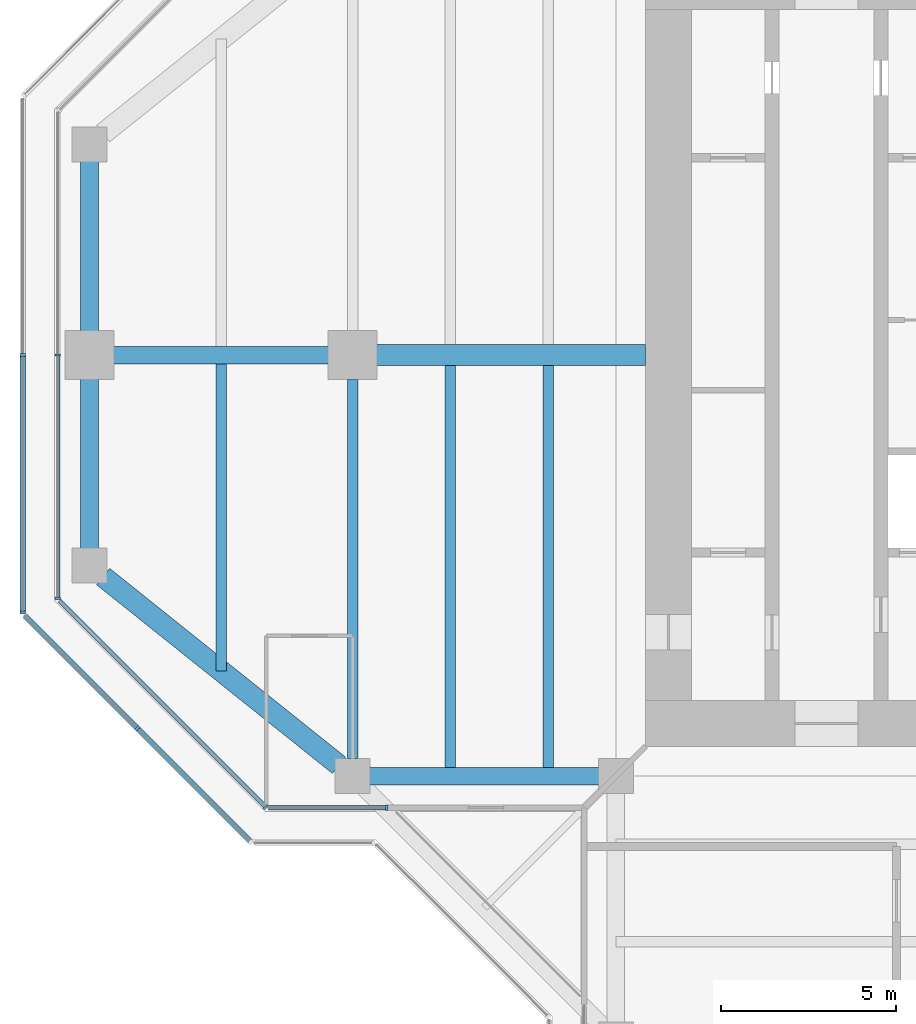
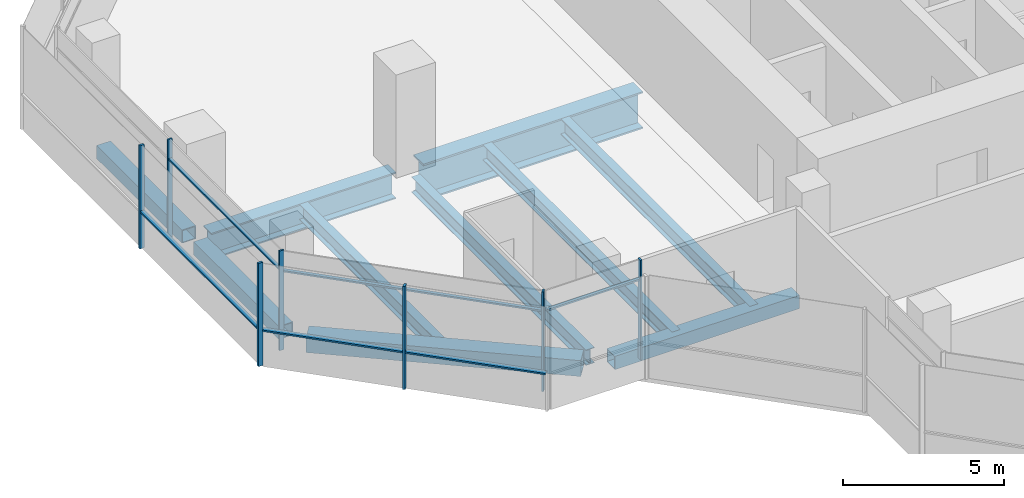
# One storey, part 3 of 15: 13 members, 10 beams, 5 elements without a shape of their own.
"""IFC4 building model written with IfcOpenShell, lengths in metres."""

from ifc_helpers import new_model, si_unit, direction, frame, origin, origin_2d, place, context, subcontext, project, spatial, rectangle, hollow_rectangle, i_section, extrude, material, material_profile, profile_set, type_object, element, aggregate, save


model = new_model("IFC4")

# Units and contexts
model_context = context("Model", 3, precision=1e-05, world=origin(), true_north=direction((0.0, 1.0)))
body_context = subcontext(model_context, "Body", "Model", "MODEL_VIEW")
ifc_project = project(units=[si_unit("LENGTHUNIT", "METRE"), si_unit("AREAUNIT", "SQUARE_METRE"), si_unit("VOLUMEUNIT", "CUBIC_METRE"), si_unit("PLANEANGLEUNIT", "RADIAN"), si_unit("MASSUNIT", "GRAM", prefix="KILO")], contexts=[model_context])

# Site, building, storey
site_placement = place(None, origin())
site = spatial("IfcSite", under=ifc_project, at=site_placement, CompositionType="ELEMENT")
building_placement = place(site_placement, origin())
building = spatial("IfcBuilding", under=site, at=building_placement, Name="Mizan Broadcast Tower", CompositionType="ELEMENT")
storey_placement = place(building_placement, frame((0.0, 0.0, 286.800048828125)))
storey = spatial("IfcBuildingStorey", under=building, at=storey_placement, Name="L68", CompositionType="ELEMENT", Elevation=286.800048828125)

# Beams
ifc_material_1 = material(Name="Steel S355", Category="steel")
ifc_material_profile_1 = material_profile(ifc_material_1, hollow_rectangle(XDim=0.5, YDim=0.5, WallThickness=0.030029296875, at=origin_2d()), Name="BOX 500x500x30")
ifc_profile_set_1 = profile_set([ifc_material_profile_1], Name="Steel S355")
beam_type_1 = type_object("IfcBeamType", Name="EDGE BEAM BOX 500x500x30", PredefinedType="SPANDREL", material=ifc_profile_set_1)
beam_1_placement = place(storey_placement, frame((-27.0, 5.639892578125, -0.380126953125), z_axis=(0.0, -1.0, 0.0), x_axis=(1.0, 0.0, 0.0)))
element("IfcBeam", 1, at=beam_1_placement, inside=storey, type_object=beam_type_1, Name="Edge beam BOX 500x500x30 L68 west arm", PredefinedType="SPANDREL", context=body_context, shape_type="SweptSolid", body=[
    extrude(hollow_rectangle(XDim=0.5, YDim=0.5, WallThickness=0.030029296875, at=origin_2d()), origin(), (0.0, 0.0, 1.0), 5.27978515625),
])
beam_2_placement = place(storey_placement, frame((-12.449951171875, -12.0, -0.380126953125), z_axis=(-1.0, 0.0, 0.0), x_axis=(0.0, -1.0, 0.0)))
element("IfcBeam", 2, at=beam_2_placement, inside=storey, type_object=beam_type_1, Name="Edge beam BOX 500x500x30 L68 west arm", PredefinedType="SPANDREL", context=body_context, shape_type="SweptSolid", body=[
    extrude(hollow_rectangle(XDim=0.5, YDim=0.5, WallThickness=0.030029296875, at=origin_2d()), origin(), (0.0, 0.0, 1.0), 6.60009765625),
])
beam_3_placement = place(storey_placement, frame((-27.0, -5.639892578125, -0.380126953125), z_axis=(0.0, 1.0, 0.0), x_axis=(-1.0, 0.0, 0.0)))
element("IfcBeam", 3, at=beam_3_placement, inside=storey, type_object=beam_type_1, Name="Edge beam BOX 500x500x30 L68 west arm", PredefinedType="SPANDREL", context=body_context, shape_type="SweptSolid", body=[
    extrude(hollow_rectangle(XDim=0.5, YDim=0.5, WallThickness=0.030029296875, at=origin_2d()), origin(), (0.0, 0.0, 1.0), 5.27978515625),
])
ifc_material_2 = material(Name="Steel S355", Category="steel")
ifc_material_profile_2 = material_profile(ifc_material_2, hollow_rectangle(XDim=0.60009765625, YDim=0.60009765625, WallThickness=0.030029296875, at=origin_2d()), Name="BOX 600x600x30")
ifc_profile_set_2 = profile_set([ifc_material_profile_2], Name="Steel S355")
beam_type_2 = type_object("IfcBeamType", Name="EDGE BEAM BOX 600x600x30", PredefinedType="SPANDREL", material=ifc_profile_set_2)
beam_4_placement = place(storey_placement, frame((-19.890380859375, -11.687744140625, -0.429931640625), z_axis=(-0.780863273348, 0.62470196761, 0.0), x_axis=(-0.62470196761, -0.780863273348, 0.0)))
element("IfcBeam", 4, at=beam_4_placement, inside=storey, type_object=beam_type_2, Name="Edge beam BOX 600x600x30 L68 west arm", PredefinedType="SPANDREL", context=body_context, shape_type="SweptSolid", body=[
    extrude(hollow_rectangle(XDim=0.60009765625, YDim=0.60009765625, WallThickness=0.030029296875, at=origin_2d()), origin(), (0.0, 0.0, 1.0), 8.60498046875),
])
ifc_material_3 = material(Name="Steel S355", Category="steel")
ifc_material_profile_3 = material_profile(ifc_material_3, i_section(OverallWidth=0.300048828125, OverallDepth=0.590087890625, WebThickness=0.012939453125, FlangeThickness=0.02490234375, FilletRadius=0.027099609375, at=origin_2d()), Name="HEA 600")
ifc_profile_set_3 = profile_set([ifc_material_profile_3], Name="Steel S355")
beam_type_3 = type_object("IfcBeamType", Name="GIRDER HEA 600", PredefinedType="BEAM", material=ifc_profile_set_3)
beam_5_placement = place(storey_placement, frame((-19.5, -11.5, -0.425048828125), z_axis=(0.0, 1.0, 0.0), x_axis=(-1.0, 0.0, 0.0)))
element("IfcBeam", 5, at=beam_5_placement, inside=storey, type_object=beam_type_3, Name="Girder HEA 600 L68 west arm", PredefinedType="BEAM", context=body_context, shape_type="SweptSolid", body=[
    extrude(i_section(OverallWidth=0.300048828125, OverallDepth=0.590087890625, WebThickness=0.012939453125, FlangeThickness=0.02490234375, FilletRadius=0.027099609375, at=origin_2d()), origin(), (0.0, 0.0, 1.0), 10.800048828125),
])
ifc_material_4 = material(Name="Steel S460", Category="steel")
ifc_material_profile_4 = material_profile(ifc_material_4, i_section(OverallWidth=0.5, OverallDepth=1.0, WebThickness=0.02490234375, FlangeThickness=0.050048828125, at=origin_2d()), Name="WPG 1000x500")
ifc_profile_set_4 = profile_set([ifc_material_profile_4], Name="Steel S460")
beam_type_4 = type_object("IfcBeamType", Name="GIRDER WPG 1000x500", PredefinedType="BEAM", material=ifc_profile_set_4)
beam_6_placement = place(storey_placement, frame((-19.949951171875, 0.0, -0.630126953125), z_axis=(-1.0, 0.0, 0.0), x_axis=(0.0, -1.0, 0.0)))
element("IfcBeam", 6, at=beam_6_placement, inside=storey, type_object=beam_type_4, Name="Girder WPG 1000x500 L68 west arm", PredefinedType="BEAM", context=body_context, shape_type="SweptSolid", body=[
    extrude(i_section(OverallWidth=0.5, OverallDepth=1.0, WebThickness=0.02490234375, FlangeThickness=0.050048828125, at=origin_2d()), origin(), (0.0, 0.0, 1.0), 6.60009765625),
])
ifc_material_5 = material(Name="Steel S460", Category="steel")
ifc_material_profile_5 = material_profile(ifc_material_5, i_section(OverallWidth=0.60009765625, OverallDepth=1.39990234375, WebThickness=0.02490234375, FlangeThickness=0.06005859375, at=origin_2d()), Name="WPG 1400x600")
ifc_profile_set_5 = profile_set([ifc_material_profile_5], Name="Steel S460")
beam_type_5 = type_object("IfcBeamType", Name="GIRDER WPG 1400x600", PredefinedType="BEAM", material=ifc_profile_set_5)
beam_7_placement = place(storey_placement, frame((-11.14990234375, 0.0, -0.830078125), z_axis=(-1.0, 0.0, 0.0), x_axis=(0.0, -1.0, 0.0)))
element("IfcBeam", 7, at=beam_7_placement, inside=storey, type_object=beam_type_5, Name="Girder WPG 1400x600 L68 west arm", PredefinedType="BEAM", context=body_context, shape_type="SweptSolid", body=[
    extrude(i_section(OverallWidth=0.60009765625, OverallDepth=1.39990234375, WebThickness=0.02490234375, FlangeThickness=0.06005859375, at=origin_2d()), origin(), (0.0, 0.0, 1.0), 7.84912109375),
])

# Curtain wall, members
ifc_material_6 = material(Name="Aluminium framed glazing", Category="aluminium")
curtain_wall_type_1 = type_object("IfcCurtainWallType", Name="INNER SKIN TOP ZONE", PredefinedType="USERDEFINED", material=ifc_material_6)
curtain_wall_1_placement = place(storey_placement, origin())
curtain_wall_1 = element("IfcCurtainWall", 8, at=curtain_wall_1_placement, inside=storey, type_object=curtain_wall_type_1, Name="Inner skin top zone L68 W end", ObjectType="INNER SKIN TOP ZONE", PredefinedType="USERDEFINED")
ifc_material_7 = material(Name="Aluminium, pale anodised", Category="aluminium")
ifc_material_profile_6 = material_profile(ifc_material_7, rectangle(XDim=0.159912109375, YDim=0.06005859375, at=origin_2d()), Name="MULLION 160x60")
ifc_profile_set_6 = profile_set([ifc_material_profile_6], Name="Aluminium, pale anodised")
member_type_1 = type_object("IfcMemberType", Name="INNER SKIN MULLION 60x160", PredefinedType="MULLION", material=ifc_profile_set_6)
member_1_placement = place(storey_placement, frame((-27.89990234375, 0.0, 0.0), z_axis=(0.0, 0.0, 1.0), x_axis=(1.0, 0.0, 0.0)))
member_1 = element("IfcMember", 9, at=member_1_placement, type_object=member_type_1, Name="Inner skin top zone L68 W end mullion 2", PredefinedType="MULLION", context=body_context, shape_type="SweptSolid", body=[
    extrude(rectangle(XDim=0.159912109375, YDim=0.06005859375, at=origin_2d()), origin(), (0.0, 0.0, 1.0), 3.77001953125),
])
member_2_placement = place(storey_placement, frame((-27.89990234375, -6.928466796875, 0.0), z_axis=(0.0, 0.0, 1.0), x_axis=(1.0, 0.0, 0.0)))
member_2 = element("IfcMember", 10, at=member_2_placement, type_object=member_type_1, Name="Inner skin top zone L68 W end mullion 3", PredefinedType="MULLION", context=body_context, shape_type="SweptSolid", body=[
    extrude(rectangle(XDim=0.159912109375, YDim=0.06005859375, at=origin_2d()), origin(), (0.0, 0.0, 1.0), 3.77001953125),
])

# Curtain wall, member
curtain_wall_2_placement = place(storey_placement, origin())
curtain_wall_2 = element("IfcCurtainWall", 11, at=curtain_wall_2_placement, inside=storey, type_object=curtain_wall_type_1, Name="Inner skin top zone L68 W chamfer", ObjectType="INNER SKIN TOP ZONE", PredefinedType="USERDEFINED")
member_3_placement = place(storey_placement, frame((-21.979736328125, -12.87890625, 0.0), z_axis=(0.0, 0.0, 1.0), x_axis=(0.707106781187, 0.707106781187, 0.0)))
member_3 = element("IfcMember", 12, at=member_3_placement, type_object=member_type_1, Name="Inner skin top zone L68 W chamfer mullion 2", PredefinedType="MULLION", context=body_context, shape_type="SweptSolid", body=[
    extrude(rectangle(XDim=0.159912109375, YDim=0.06005859375, at=origin_2d()), origin(), (0.0, 0.0, 1.0), 3.77001953125),
])

curtain_wall_3_placement = place(storey_placement, origin())
curtain_wall_3 = element("IfcCurtainWall", 13, at=curtain_wall_3_placement, inside=storey, type_object=curtain_wall_type_1, Name="Inner skin top zone L68 W side", ObjectType="INNER SKIN TOP ZONE", PredefinedType="USERDEFINED")
member_4_placement = place(storey_placement, frame((-18.530029296875, -12.89990234375, 0.0), z_axis=(0.0, 0.0, 1.0), x_axis=(0.0, 1.0, 0.0)))
member_4 = element("IfcMember", 14, at=member_4_placement, type_object=member_type_1, Name="Inner skin top zone L68 W side mullion 2", PredefinedType="MULLION", context=body_context, shape_type="SweptSolid", body=[
    extrude(rectangle(XDim=0.159912109375, YDim=0.06005859375, at=origin_2d()), origin(), (0.0, 0.0, 1.0), 3.77001953125),
])

# Member
ifc_material_8 = material(Name="Aluminium, pale anodised", Category="aluminium")
ifc_material_profile_7 = material_profile(ifc_material_8, rectangle(XDim=0.1201171875, YDim=0.06005859375, at=origin_2d()), Name="TRANSOM 120x60")
ifc_profile_set_7 = profile_set([ifc_material_profile_7], Name="Aluminium, pale anodised")
member_type_2 = type_object("IfcMemberType", Name="INNER SKIN TRANSOM 60x120", PredefinedType="USERDEFINED", material=ifc_profile_set_7)
member_5_placement = place(storey_placement, frame((-27.89990234375, -0.030029296875, 3.030029296875), z_axis=(0.0, -1.0, 0.0), x_axis=(1.0, 0.0, 0.0)))
member_5 = element("IfcMember", 15, at=member_5_placement, type_object=member_type_2, Name="Inner skin top zone L68 W end transom 2.1", ObjectType="TRANSOM", PredefinedType="USERDEFINED", context=body_context, shape_type="SweptSolid", body=[
    extrude(rectangle(XDim=0.1201171875, YDim=0.06005859375, at=origin_2d()), origin(), (0.0, 0.0, 1.0), 6.86865234375),
])

aggregate(curtain_wall_1, [member_1, member_2, member_5])

member_6_placement = place(storey_placement, frame((-27.857666015625, -7.0009765625, 3.030029296875), z_axis=(0.707106781187, -0.707106781187, 0.0), x_axis=(0.707106781187, 0.707106781187, 0.0)))
member_6 = element("IfcMember", 16, at=member_6_placement, type_object=member_type_2, Name="Inner skin top zone L68 W chamfer transom 1.1", ObjectType="TRANSOM", PredefinedType="USERDEFINED", context=body_context, shape_type="SweptSolid", body=[
    extrude(rectangle(XDim=0.1201171875, YDim=0.06005859375, at=origin_2d()), origin(), (0.0, 0.0, 1.0), 8.28271484375),
])

aggregate(curtain_wall_2, [member_3, member_6])

member_7_placement = place(storey_placement, frame((-21.898681640625, -12.89990234375, 3.030029296875), z_axis=(1.0, 0.0, 0.0), x_axis=(0.0, 1.0, 0.0)))
member_7 = element("IfcMember", 17, at=member_7_placement, type_object=member_type_2, Name="Inner skin top zone L68 W side transom 1.1", ObjectType="TRANSOM", PredefinedType="USERDEFINED", context=body_context, shape_type="SweptSolid", body=[
    extrude(rectangle(XDim=0.1201171875, YDim=0.06005859375, at=origin_2d()), origin(), (0.0, 0.0, 1.0), 3.338623046875),
])

aggregate(curtain_wall_3, [member_4, member_7])

# Curtain wall, member
ifc_material_9 = material(Name="Aluminium framed glazing", Category="aluminium")
curtain_wall_type_2 = type_object("IfcCurtainWallType", Name="OUTER SKIN", PredefinedType="USERDEFINED", material=ifc_material_9)
curtain_wall_4_placement = place(storey_placement, origin())
curtain_wall_4 = element("IfcCurtainWall", 18, at=curtain_wall_4_placement, inside=storey, type_object=curtain_wall_type_2, Name="Outer skin L68 W chamfer", ObjectType="OUTER SKIN", PredefinedType="USERDEFINED")
ifc_material_10 = material(Name="Aluminium, pale anodised", Category="aluminium")
ifc_material_profile_8 = material_profile(ifc_material_10, rectangle(XDim=0.159912109375, YDim=0.080078125, at=origin_2d()), Name="MULLION 160x80")
ifc_profile_set_8 = profile_set([ifc_material_profile_8], Name="Aluminium, pale anodised")
member_type_3 = type_object("IfcMemberType", Name="OUTER SKIN MULLION 80x160", PredefinedType="MULLION", material=ifc_profile_set_8)
member_8_placement = place(storey_placement, frame((-25.636474609375, -10.636474609375, 0.0), z_axis=(0.0, 0.0, 1.0), x_axis=(0.707106781187, 0.707106781187, 0.0)))
member_8 = element("IfcMember", 19, at=member_8_placement, type_object=member_type_3, Name="Outer skin L68 W chamfer mullion 2", PredefinedType="MULLION", context=body_context, shape_type="SweptSolid", body=[
    extrude(rectangle(XDim=0.159912109375, YDim=0.080078125, at=origin_2d()), origin(), (0.0, 0.0, 1.0), 3.89990234375),
])

# Curtain wall, members
curtain_wall_5_placement = place(storey_placement, origin())
curtain_wall_5 = element("IfcCurtainWall", 20, at=curtain_wall_5_placement, inside=storey, type_object=curtain_wall_type_2, Name="Outer skin L68 W end", ObjectType="OUTER SKIN", PredefinedType="USERDEFINED")
member_9_placement = place(storey_placement, frame((-28.89990234375, 0.0, 0.0), z_axis=(0.0, 0.0, 1.0), x_axis=(1.0, 0.0, 0.0)))
member_9 = element("IfcMember", 21, at=member_9_placement, type_object=member_type_3, Name="Outer skin L68 W end mullion 2", PredefinedType="MULLION", context=body_context, shape_type="SweptSolid", body=[
    extrude(rectangle(XDim=0.159912109375, YDim=0.080078125, at=origin_2d()), origin(), (0.0, 0.0, 1.0), 3.89990234375),
])
member_10_placement = place(storey_placement, frame((-28.89990234375, -7.332763671875, 0.0), z_axis=(0.0, 0.0, 1.0), x_axis=(1.0, 0.0, 0.0)))
member_10 = element("IfcMember", 22, at=member_10_placement, type_object=member_type_3, Name="Outer skin L68 W end mullion 3", PredefinedType="MULLION", context=body_context, shape_type="SweptSolid", body=[
    extrude(rectangle(XDim=0.159912109375, YDim=0.080078125, at=origin_2d()), origin(), (0.0, 0.0, 1.0), 3.89990234375),
])

# Member
ifc_material_11 = material(Name="Aluminium, pale anodised", Category="aluminium")
ifc_material_profile_9 = material_profile(ifc_material_11, rectangle(XDim=0.159912109375, YDim=0.06005859375, at=origin_2d()), Name="TRANSOM 160x60")
ifc_profile_set_9 = profile_set([ifc_material_profile_9], Name="Aluminium, pale anodised")
member_type_4 = type_object("IfcMemberType", Name="OUTER SKIN TRANSOM 60x160", PredefinedType="USERDEFINED", material=ifc_profile_set_9)
member_11_placement = place(storey_placement, frame((-28.843505859375, -7.429443359375, 1.39990234375), z_axis=(0.707106781187, -0.707106781187, 0.0), x_axis=(0.707106781187, 0.707106781187, 0.0)))
member_11 = element("IfcMember", 23, at=member_11_placement, type_object=member_type_4, Name="Outer skin L68 W chamfer transom 1.1", ObjectType="TRANSOM", PredefinedType="USERDEFINED", context=body_context, shape_type="SweptSolid", body=[
    extrude(rectangle(XDim=0.159912109375, YDim=0.06005859375, at=origin_2d()), origin(), (0.0, 0.0, 1.0), 4.495361328125),
])

member_12_placement = place(storey_placement, frame((-25.608154296875, -10.664794921875, 1.39990234375), z_axis=(0.707106781187, -0.707106781187, 0.0), x_axis=(0.707106781187, 0.707106781187, 0.0)))
member_12 = element("IfcMember", 24, at=member_12_placement, type_object=member_type_4, Name="Outer skin L68 W chamfer transom 2.1", ObjectType="TRANSOM", PredefinedType="USERDEFINED", context=body_context, shape_type="SweptSolid", body=[
    extrude(rectangle(XDim=0.159912109375, YDim=0.06005859375, at=origin_2d()), origin(), (0.0, 0.0, 1.0), 4.495361328125),
])

aggregate(curtain_wall_4, [member_8, member_11, member_12])

member_13_placement = place(storey_placement, frame((-28.89990234375, -0.0400390625, 1.39990234375), z_axis=(0.0, -1.0, 0.0), x_axis=(1.0, 0.0, 0.0)))
member_13 = element("IfcMember", 25, at=member_13_placement, type_object=member_type_4, Name="Outer skin L68 W end transom 2.1", ObjectType="TRANSOM", PredefinedType="USERDEFINED", context=body_context, shape_type="SweptSolid", body=[
    extrude(rectangle(XDim=0.159912109375, YDim=0.06005859375, at=origin_2d()), origin(), (0.0, 0.0, 1.0), 7.252685546875),
])

aggregate(curtain_wall_5, [member_9, member_10, member_13])

# Beams
ifc_material_12 = material(Name="Steel S355", Category="steel")
ifc_material_profile_10 = material_profile(ifc_material_12, i_section(OverallWidth=0.300048828125, OverallDepth=0.590087890625, WebThickness=0.012939453125, FlangeThickness=0.02490234375, FilletRadius=0.027099609375, at=origin_2d()), Name="HEA 600")
ifc_profile_set_10 = profile_set([ifc_material_profile_10], Name="Steel S355")
beam_type_6 = type_object("IfcBeamType", Name="SECONDARY BEAM HEA 600", PredefinedType="JOIST", material=ifc_profile_set_10)
for number, where, z_axis, x_axis, name in (
    (26, (-13.933349609375, -12.0, -0.425048828125), (0.0, 1.0, 0.0), (-1.0, 0.0, 0.0), "Secondary beam HEA 600 L68 west arm"),
    (27, (-16.716552734375, -12.0, -0.425048828125), (0.0, 1.0, 0.0), (-1.0, 0.0, 0.0), "Secondary beam HEA 600 L68 west arm"),
):
    element("IfcBeam", number, at=place(storey_placement, frame(where, z_axis=z_axis, x_axis=x_axis)), inside=storey, type_object=beam_type_6, Name=name, PredefinedType="JOIST", context=body_context, shape_type="SweptSolid", body=[
        extrude(i_section(OverallWidth=0.300048828125, OverallDepth=0.590087890625, WebThickness=0.012939453125, FlangeThickness=0.02490234375, FilletRadius=0.027099609375, at=origin_2d()), origin(), (0.0, 0.0, 1.0), 11.699951171875),
    ])
beam_8_placement = place(storey_placement, frame((-23.25, -9.0, -0.425048828125), z_axis=(0.0, 1.0, 0.0), x_axis=(-1.0, 0.0, 0.0)))
element("IfcBeam", 28, at=beam_8_placement, inside=storey, type_object=beam_type_6, Name="Secondary beam HEA 600 L68 west arm", PredefinedType="JOIST", context=body_context, shape_type="SweptSolid", body=[
    extrude(i_section(OverallWidth=0.300048828125, OverallDepth=0.590087890625, WebThickness=0.012939453125, FlangeThickness=0.02490234375, FilletRadius=0.027099609375, at=origin_2d()), origin(), (0.0, 0.0, 1.0), 8.75),
])

save(model, "model.ifc")
